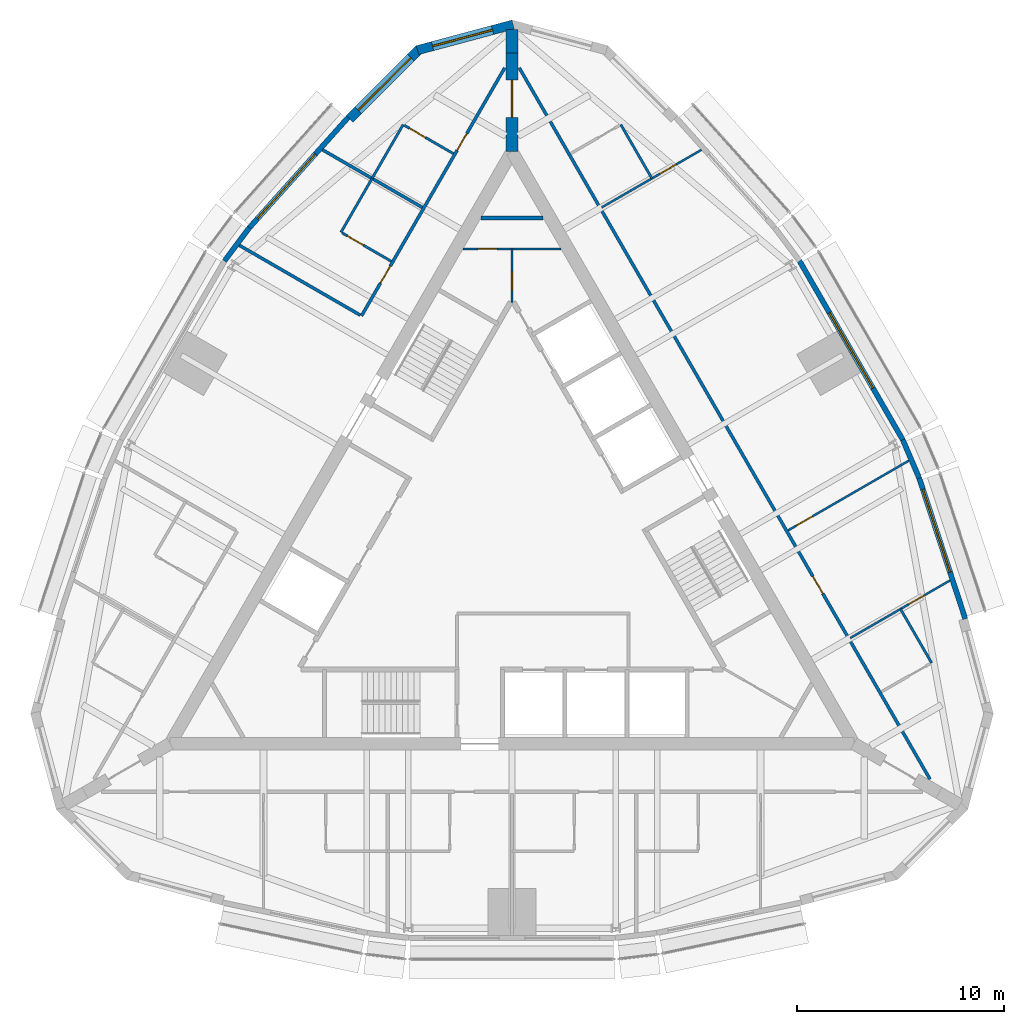
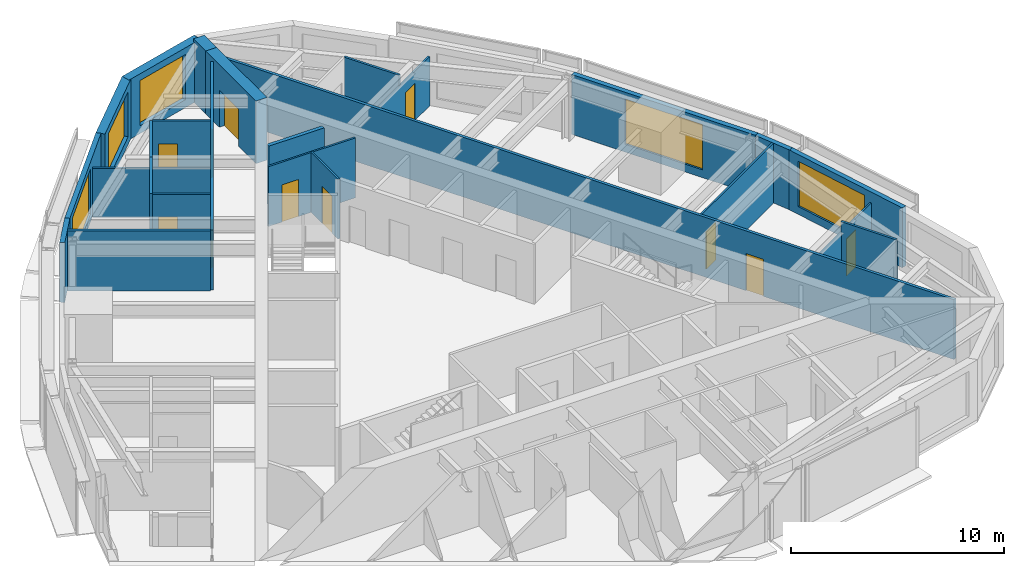
# One storey, part 10 of 12: 25 walls, 11 doors, 5 windows, 16 openings.
"""IFC4 building model written with IfcOpenShell, lengths in metres."""

import ifcopenshell
import ifcopenshell.guid

model = None  # the IFC model being written
_history = None  # IfcOwnerHistory: only IFC2X3 demands one
_inside = {}  # id of a spatial element -> (the spatial element, [elements in it])
_under = {}  # id of a project, library or spatial element -> (it, [spatial elements below it])
_declared = {}  # id of a project -> (the project, [libraries it declares])
_typed = {}  # id of a type object -> (the type object, [elements of that type])
_made_of = {}  # id of a material, layer set ... -> (it, [elements and type objects made of it])


def new_model(schema):
    """Start an empty IFC model of exactly this schema.

    Asked for "IFC4X3", IfcOpenShell would pick the latest addendum, in which some entities
    have other attributes; the version numbers below select the first issue.
    IFC2X3 requires an IfcOwnerHistory on every rooted entity: one is made here for all.
    """
    global model, _history
    if schema == "IFC4X3":
        model = ifcopenshell.file(schema_version=(4, 3, 0, 0))
    else:
        model = ifcopenshell.file(schema=schema)
    _inside.clear()
    _under.clear()
    _declared.clear()
    _typed.clear()
    _made_of.clear()
    _history = None
    if model.schema == "IFC2X3":
        org = make("IfcOrganization", Name="unknown")
        user = make(
            "IfcPersonAndOrganization",
            ThePerson=make("IfcPerson", FamilyName="unknown"),
            TheOrganization=org,
        )
        app = make(
            "IfcApplication",
            ApplicationDeveloper=org,
            Version="unknown",
            ApplicationFullName="unknown",
            ApplicationIdentifier="unknown",
        )
        _history = make(
            "IfcOwnerHistory",
            OwningUser=user,
            OwningApplication=app,
            ChangeAction="ADDED",
            CreationDate=0,
        )
    return model


def make(cls, **values):
    """One entity of the class cls with the attributes given. An attribute that is None is left unset."""
    return model.create_entity(
        cls, **{name: value for name, value in values.items() if value is not None}
    )


def rooted(cls, **values):
    """An entity with a GlobalId (a new one), such as an element, a storey or a relation."""
    return make(cls, GlobalId=ifcopenshell.guid.new(), OwnerHistory=_history, **values)


def si_unit(unit_type, name, prefix=None):
    """IfcSIUnit, for example si_unit("LENGTHUNIT", "METRE", prefix="MILLI")."""
    return make("IfcSIUnit", UnitType=unit_type, Prefix=prefix, Name=name)


def assignment(units):
    """IfcUnitAssignment: the units of a project."""
    return None if units is None else make("IfcUnitAssignment", Units=units)


def point(xyz):
    """IfcCartesianPoint."""
    return None if xyz is None else make("IfcCartesianPoint", Coordinates=xyz)


def direction(xyz):
    """IfcDirection."""
    return None if xyz is None else make("IfcDirection", DirectionRatios=xyz)


def frame(location, z_axis=None, x_axis=None):
    """IfcAxis2Placement3D, a coordinate frame: its origin and axes. An axis left out is left unset."""
    return make(
        "IfcAxis2Placement3D",
        Location=point(location),
        Axis=direction(z_axis),
        RefDirection=direction(x_axis),
    )


def frame_2d(location, x_axis=None):
    """IfcAxis2Placement2D, a coordinate frame in the plane: its origin and x axis."""
    return make(
        "IfcAxis2Placement2D", Location=point(location), RefDirection=direction(x_axis)
    )


def origin():
    """The frame at (0, 0, 0) with its axes left unset."""
    return frame((0.0, 0.0, 0.0))


def place(relative_to, where):
    """IfcLocalPlacement: puts the frame where relative to a parent placement (None: the world)."""
    return make(
        "IfcLocalPlacement", PlacementRelTo=relative_to, RelativePlacement=where
    )


def context(
    kind, dimensions, precision=None, world=None, true_north=None, identifier=None
):
    """IfcGeometricRepresentationContext, for example the 3D "Model" context."""
    return make(
        "IfcGeometricRepresentationContext",
        ContextIdentifier=identifier,
        ContextType=kind,
        CoordinateSpaceDimension=dimensions,
        Precision=precision,
        WorldCoordinateSystem=world,
        TrueNorth=true_north,
    )


def subcontext(parent, identifier, kind, view, scale=None):
    """IfcGeometricRepresentationSubContext, for example "Body" below "Model"."""
    return make(
        "IfcGeometricRepresentationSubContext",
        ContextIdentifier=identifier,
        ContextType=kind,
        ParentContext=parent,
        TargetScale=scale,
        TargetView=view,
    )


def project(units=None, contexts=None):
    """IfcProject with its units and contexts."""
    return rooted(
        "IfcProject",
        Name="project",
        RepresentationContexts=contexts,
        UnitsInContext=assignment(units),
    )


def spatial(cls, under=None, at=None, **own):
    """A site, building, storey or space (cls), placed at a placement, below another one or the project."""
    s = rooted(cls, ObjectPlacement=at, **own)
    if under is not None:
        _under.setdefault(under.id(), (under, []))[1].append(s)
    return s


def polyline(points):
    """IfcPolyline through the points."""
    return make("IfcPolyline", Points=[point(p) for p in points])


def profile(cls, at=None, kind="AREA", **sizes):
    """A parametric profile (cls). Its sizes go by their IFC names, for example OverallWidth=200.0."""
    return make(cls, ProfileType=kind, Position=at, **sizes)


def rectangle(**sizes):
    """IfcRectangleProfileDef."""
    return profile("IfcRectangleProfileDef", **sizes)


def outline(outer, holes=None, kind="AREA"):
    """IfcArbitraryClosedProfileDef: a profile drawn as a closed curve; with holes, ...WithVoids."""
    if holes is None:
        return make("IfcArbitraryClosedProfileDef", ProfileType=kind, OuterCurve=outer)
    return make(
        "IfcArbitraryProfileDefWithVoids",
        ProfileType=kind,
        OuterCurve=outer,
        InnerCurves=holes,
    )


def extrude(swept, where, along, depth):
    """IfcExtrudedAreaSolid: the profile swept, set in the frame where, extruded along a direction by depth."""
    return make(
        "IfcExtrudedAreaSolid",
        SweptArea=swept,
        Position=where,
        ExtrudedDirection=direction(along),
        Depth=depth,
    )


def shape(context_of_items, identifier, shape_type, items):
    """IfcShapeRepresentation: the items that make up one representation, for example the "Body"."""
    return make(
        "IfcShapeRepresentation",
        ContextOfItems=context_of_items,
        RepresentationIdentifier=identifier,
        RepresentationType=shape_type,
        Items=items,
    )


def material(Name=None, Category=None):
    """IfcMaterial."""
    return make("IfcMaterial", Name=Name, Category=Category)


def layer(
    of_material, thickness, ventilated=None, Name=None, Category=None, Priority=None
):
    """IfcMaterialLayer: one layer of a wall or slab, of a material (None: an air gap)."""
    return make(
        "IfcMaterialLayer",
        Material=of_material,
        LayerThickness=thickness,
        IsVentilated=ventilated,
        Name=Name,
        Category=Category,
        Priority=Priority,
    )


def layer_set(layers, Name=None):
    """IfcMaterialLayerSet."""
    return make("IfcMaterialLayerSet", MaterialLayers=layers, LayerSetName=Name)


def made_of(thing, what):
    """Note that an element or type object is made of a material, layer set ...; save() writes the relation."""
    if what is not None:
        _made_of.setdefault(what.id(), (what, []))[1].append(thing)
    return thing


def type_object(cls, material=None, **own):
    """A type object (cls), such as IfcWallType, which elements share."""
    return made_of(rooted(cls, **own), material)


def element(
    cls,
    number,
    at=None,
    inside=None,
    cuts=None,
    type_object=None,
    material=None,
    context=None,
    identifier="Body",
    shape_type=None,
    held_by="IfcProductDefinitionShape",
    body=None,
    shapes=None,
    **own,
):
    """One element of the class cls, such as IfcWall. Its Tag is "e" and its number.

    at: its placement. inside: the storey or other place that contains it. cuts: it is an
    opening in that element (IfcRelVoidsElement). A single representation is given by context,
    identifier, shape_type and body (its items); several are given by shapes. held_by: the class
    of the entity that holds the representations. save() writes the other relations.
    """
    e = rooted(cls, Tag="e%d" % number, ObjectPlacement=at, **own)
    if body is not None:
        shapes = [shape(context, identifier, shape_type, body)]
    if shapes is not None:
        e.Representation = make(held_by, Representations=shapes)
    if inside is not None:
        _inside.setdefault(inside.id(), (inside, []))[1].append(e)
    if cuts is not None:
        rooted(
            "IfcRelVoidsElement", RelatingBuildingElement=cuts, RelatedOpeningElement=e
        )
    if type_object is not None:
        _typed.setdefault(type_object.id(), (type_object, []))[1].append(e)
    return made_of(e, material)


def fill(opening, filler):
    """IfcRelFillsElement: the door or window that sits in an opening."""
    return rooted(
        "IfcRelFillsElement",
        RelatingOpeningElement=opening,
        RelatedBuildingElement=filler,
    )


def aggregate(whole, parts):
    """IfcRelAggregates: a whole, such as a stair, and the parts it consists of."""
    return rooted("IfcRelAggregates", RelatingObject=whole, RelatedObjects=parts)


def save(model, path):
    """Write the relations noted so far, then the file.

    IfcRelAggregates (storeys below a building ...), IfcRelContainedInSpatialStructure (elements
    in a storey), IfcRelDefinesByType, IfcRelAssociatesMaterial and IfcRelDeclares: one each for
    every whole, place, type object, material and project.
    """
    for whole, parts in _under.values():
        aggregate(whole, parts)
    for where, things in _inside.values():
        rooted(
            "IfcRelContainedInSpatialStructure",
            RelatedElements=things,
            RelatingStructure=where,
        )
    for kind, things in _typed.values():
        rooted("IfcRelDefinesByType", RelatedObjects=things, RelatingType=kind)
    for what, things in _made_of.values():
        rooted("IfcRelAssociatesMaterial", RelatedObjects=things, RelatingMaterial=what)
    for by, libraries in _declared.values():
        rooted("IfcRelDeclares", RelatingContext=by, RelatedDefinitions=libraries)
    model.write(path)


model = new_model("IFC4")

# Units and contexts
model_context = context("Model", 3, precision=1e-05, world=origin(), true_north=direction((0.0, 1.0)))
body_context = subcontext(model_context, "Body", "Model", "MODEL_VIEW")
ifc_project = project(units=[si_unit("LENGTHUNIT", "METRE"), si_unit("AREAUNIT", "SQUARE_METRE"), si_unit("VOLUMEUNIT", "CUBIC_METRE"), si_unit("PLANEANGLEUNIT", "RADIAN"), si_unit("MASSUNIT", "GRAM", prefix="KILO")], contexts=[model_context])

# Site, building, storey
site_placement = place(None, origin())
site = spatial("IfcSite", under=ifc_project, at=site_placement, CompositionType="ELEMENT")
building_placement = place(site_placement, origin())
building = spatial("IfcBuilding", under=site, at=building_placement, Name="Trikona Tower", CompositionType="ELEMENT")
storey_placement = place(building_placement, frame((0.0, 0.0, 264.5)))
storey = spatial("IfcBuildingStorey", under=building, at=storey_placement, Name="L70", CompositionType="ELEMENT", Elevation=264.5)

# Walls
ifc_material_1 = material(Name="Metal stud and cement board", Category="gypsum")
ifc_layer_1 = layer(ifc_material_1, 0.1201171875)
ifc_layer_set_1 = layer_set([ifc_layer_1], Name="Bathroom wall 120")
wall_type_1 = type_object("IfcWallType", Name="Bathroom wall 120", PredefinedType="PLUMBINGWALL", material=ifc_layer_set_1)
wall_1_placement = place(storey_placement, frame((20.25341796875, -5.627197265625, 0.0), z_axis=(0.0, 0.0, 1.0), x_axis=(-0.50002537861, 0.866010750942, 0.0)))
element("IfcWall", 1, at=wall_1_placement, inside=storey, type_object=wall_type_1, Name="Bathroom wall 7005.1", PredefinedType="PLUMBINGWALL", context=body_context, shape_type="SweptSolid", body=[
    extrude(rectangle(XDim=2.999755859375, YDim=0.1201171875, at=frame_2d((1.5, 0.0))), origin(), (0.0, 0.0, 1.0), 3.43505859375),
])
for number, where, z_axis, x_axis, name in (
    (2, (6.75341796875, 17.75537109375, 0.0), (0.0, 0.0, 1.0), (-0.499990139034, 0.866031096941, 0.0), "Bathroom wall 7005.2"),
    (3, (-5.25341796875, 20.353515625, 0.0), (0.0, 0.0, 1.0), (-0.499990139034, -0.866031096941, 0.0), "Bathroom wall 7006"),
):
    element("IfcWall", number, at=place(storey_placement, frame(where, z_axis=z_axis, x_axis=x_axis)), inside=storey, type_object=wall_type_1, Name=name, PredefinedType="PLUMBINGWALL", context=body_context, shape_type="SweptSolid", body=[
        extrude(rectangle(XDim=3.0, YDim=0.1201171875, at=frame_2d((1.5, 0.0))), origin(), (0.0, 0.0, 1.0), 3.43505859375),
    ])

# Wall, opening, door
wall_2_placement = place(storey_placement, frame((-2.82861328125, 18.95361328125, 0.0), z_axis=(0.0, 0.0, 1.0), x_axis=(-0.866035715982, 0.499982138324, 0.0)))
wall_2 = element("IfcWall", 4, at=wall_2_placement, inside=storey, type_object=wall_type_1, Name="Bathroom wall 7006", PredefinedType="PLUMBINGWALL", context=body_context, shape_type="SweptSolid", body=[
    extrude(rectangle(XDim=2.73974609375, YDim=0.1201171875, at=frame_2d((1.369873046875, 0.0))), origin(), (0.0, 0.0, 1.0), 3.43505859375),
])
opening_1_placement = place(wall_2_placement, frame((1.550048828125, 0.0, 0.0)))
opening_1 = element("IfcOpeningElement", 5, at=opening_1_placement, cuts=wall_2, Name="Opening D2", PredefinedType="OPENING", context=body_context, shape_type="SweptSolid", body=[
    extrude(rectangle(XDim=0.89990234375, YDim=2.1298828125, at=frame_2d((0.449951171875, 1.06494140625))), frame((0.0, 0.070068359375, 0.0), z_axis=(0.0, -1.0, 0.0), x_axis=(1.0, 0.0, 0.0)), (0.0, 0.0, 1.0), 0.14013671875),
])
ifc_material_2 = material(Name="Steel door frame with solid-core timber leaf", Category="steel")
door_type_1 = type_object("IfcDoorType", Name="Bathroom door 900x2130", OperationType="SLIDING_TO_LEFT", PredefinedType="DOOR", material=ifc_material_2)
door_1_placement = place(opening_1_placement, origin())
door_1 = element("IfcDoor", 6, at=door_1_placement, inside=storey, type_object=door_type_1, Name="Bathroom door 7006", OperationType="SLIDING_TO_LEFT", OverallHeight=2.1298828125, OverallWidth=0.89990234375, PredefinedType="DOOR", context=body_context, shape_type="SweptSolid", body=[
    extrude(rectangle(XDim=0.89990234375, YDim=2.1298828125, at=frame_2d((0.449951171875, 1.06494140625))), frame((0.0, 0.02490234375, 0.0), z_axis=(0.0, -1.0, 0.0), x_axis=(1.0, 0.0, 0.0)), (0.0, 0.0, 1.0), 0.050048828125),
])
fill(opening_1, door_1)

# Wall
wall_3_placement = place(storey_placement, frame((-6.75341796875, 17.75537109375, 0.0), z_axis=(0.0, 0.0, 1.0), x_axis=(-0.50002537861, -0.866010750942, 0.0)))
element("IfcWall", 7, at=wall_3_placement, inside=storey, type_object=wall_type_1, Name="Bathroom wall 7007", PredefinedType="PLUMBINGWALL", context=body_context, shape_type="SweptSolid", body=[
    extrude(rectangle(XDim=2.999755859375, YDim=0.1201171875, at=frame_2d((1.5, 0.0))), origin(), (0.0, 0.0, 1.0), 3.43505859375),
])

# Wall, opening, door
wall_4_placement = place(storey_placement, frame((-5.82861328125, 13.75732421875, 0.0), z_axis=(0.0, 0.0, 1.0), x_axis=(-0.865997131366, 0.500048966069, 0.0)))
wall_4 = element("IfcWall", 8, at=wall_4_placement, inside=storey, type_object=wall_type_1, Name="Bathroom wall 7007", PredefinedType="PLUMBINGWALL", context=body_context, shape_type="SweptSolid", body=[
    extrude(rectangle(XDim=2.739990234375, YDim=0.1201171875, at=frame_2d((1.3701171875, 0.0))), origin(), (0.0, 0.0, 1.0), 3.43505859375),
])
opening_2_placement = place(wall_4_placement, frame((1.550048828125, 0.0, 0.0)))
opening_2 = element("IfcOpeningElement", 9, at=opening_2_placement, cuts=wall_4, Name="Opening D2", PredefinedType="OPENING", context=body_context, shape_type="SweptSolid", body=[
    extrude(rectangle(XDim=0.89990234375, YDim=2.1298828125, at=frame_2d((0.449951171875, 1.06494140625))), frame((0.0, 0.070068359375, 0.0), z_axis=(0.0, -1.0, 0.0), x_axis=(1.0, 0.0, 0.0)), (0.0, 0.0, 1.0), 0.14013671875),
])
door_2_placement = place(opening_2_placement, origin())
door_2 = element("IfcDoor", 10, at=door_2_placement, inside=storey, type_object=door_type_1, Name="Bathroom door 7007", OperationType="SLIDING_TO_LEFT", OverallHeight=2.1298828125, OverallWidth=0.89990234375, PredefinedType="DOOR", context=body_context, shape_type="SweptSolid", body=[
    extrude(rectangle(XDim=0.89990234375, YDim=2.1298828125, at=frame_2d((0.449951171875, 1.06494140625))), frame((0.0, 0.02490234375, 0.0), z_axis=(0.0, -1.0, 0.0), x_axis=(1.0, 0.0, 0.0)), (0.0, 0.0, 1.0), 0.050048828125),
])
fill(opening_2, door_2)

# Wall, opening, window
ifc_material_3 = material(Name="Brick-faced precast concrete", Category="masonry")
ifc_layer_2 = layer(ifc_material_3, 0.449951171875)
ifc_layer_set_2 = layer_set([ifc_layer_2], Name="Brick-faced corner wall 450")
wall_type_2 = type_object("IfcWallType", Name="Brick-faced corner wall 450", PredefinedType="SOLIDWALL", material=ifc_layer_set_2)
wall_5_placement = place(storey_placement, frame((0.05810546875, 25.18603515625, 0.0), z_axis=(0.0, 0.0, 1.0), x_axis=(-0.965926628191, -0.258816052347, 0.0)))
wall_5 = element("IfcWall", 11, at=wall_5_placement, inside=storey, type_object=wall_type_2, Name="External wall L70-16", PredefinedType="SOLIDWALL", context=body_context, shape_type="SweptSolid", body=[
    extrude(outline(polyline([(4.781494140625, 0.22509765625), (0.430908203125, 0.22509765625), (0.406005859375, 0.132080078125), (0.059326171875, 0.22509765625), (0.0, 0.22509765625), (0.0, -0.22509765625), (4.781494140625, -0.22509765625), (4.781494140625, 0.22509765625)])), origin(), (0.0, 0.0, 1.0), 3.43505859375),
])
opening_3_placement = place(wall_5_placement, frame((1.031494140625, 0.0, 0.449951171875)))
opening_3 = element("IfcOpeningElement", 12, at=opening_3_placement, cuts=wall_5, Name="Opening W3026", PredefinedType="OPENING", context=body_context, shape_type="SweptSolid", body=[
    extrude(rectangle(XDim=3.0, YDim=2.60009765625, at=frame_2d((1.5, 1.300048828125))), frame((0.0, 0.23486328125, 0.0), z_axis=(0.0, -1.0, 0.0), x_axis=(1.0, 0.0, 0.0)), (0.0, 0.0, 1.0), 0.469970703125),
])
ifc_material_4 = material(Name="Aluminium-framed double glazing", Category="aluminium")
window_type_1 = type_object("IfcWindowType", Name="Window 3000x2600", PartitioningType="SINGLE_PANEL", PredefinedType="WINDOW", material=ifc_material_4)
window_1_placement = place(opening_3_placement, origin())
window_1 = element("IfcWindow", 13, at=window_1_placement, inside=storey, type_object=window_type_1, Name="Window 7006", OverallHeight=2.60009765625, OverallWidth=3.0, PartitioningType="SINGLE_PANEL", PredefinedType="WINDOW", context=body_context, shape_type="SweptSolid", body=[
    extrude(rectangle(XDim=3.0, YDim=2.60009765625, at=frame_2d((1.5, 1.300048828125))), frame((0.0, 0.030029296875, 0.0), z_axis=(0.0, -1.0, 0.0), x_axis=(1.0, 0.0, 0.0)), (0.0, 0.0, 1.0), 0.06005859375),
])
fill(opening_3, window_1)

wall_6_placement = place(storey_placement, frame((-4.459716796875, 24.006591796875, 0.0), z_axis=(0.0, 0.0, 1.0), x_axis=(-0.707106781187, -0.707106781187, 0.0)))
wall_6 = element("IfcWall", 14, at=wall_6_placement, inside=storey, type_object=wall_type_2, Name="External wall L70-17", PredefinedType="SOLIDWALL", context=body_context, shape_type="SweptSolid", body=[
    extrude(rectangle(XDim=4.781494140625, YDim=0.449951171875, at=frame_2d((2.390625, 0.0))), origin(), (0.0, 0.0, 1.0), 3.43505859375),
])
opening_4_placement = place(wall_6_placement, frame((0.5908203125, 0.0, 0.449951171875)))
opening_4 = element("IfcOpeningElement", 15, at=opening_4_placement, cuts=wall_6, Name="Opening W3626", PredefinedType="OPENING", context=body_context, shape_type="SweptSolid", body=[
    extrude(rectangle(XDim=3.60009765625, YDim=2.60009765625, at=frame_2d((1.800048828125, 1.300048828125))), frame((0.0, 0.23486328125, 0.0), z_axis=(0.0, -1.0, 0.0), x_axis=(1.0, 0.0, 0.0)), (0.0, 0.0, 1.0), 0.469970703125),
])
ifc_material_5 = material(Name="Aluminium-framed double glazing", Category="aluminium")
window_type_2 = type_object("IfcWindowType", Name="Window 3600x2600", PartitioningType="SINGLE_PANEL", PredefinedType="WINDOW", material=ifc_material_5)
window_2_placement = place(opening_4_placement, origin())
window_2 = element("IfcWindow", 16, at=window_2_placement, inside=storey, type_object=window_type_2, Name="Window 7006", OverallHeight=2.60009765625, OverallWidth=3.60009765625, PartitioningType="SINGLE_PANEL", PredefinedType="WINDOW", context=body_context, shape_type="SweptSolid", body=[
    extrude(rectangle(XDim=3.60009765625, YDim=2.60009765625, at=frame_2d((1.800048828125, 1.300048828125))), frame((0.0, 0.030029296875, 0.0), z_axis=(0.0, -1.0, 0.0), x_axis=(1.0, 0.0, 0.0)), (0.0, 0.0, 1.0), 0.06005859375),
])
fill(opening_4, window_2)

# Wall, opening, door
ifc_material_6 = material(Name="Concrete f'c 10000 psi", Category="concrete")
ifc_layer_3 = layer(ifc_material_6, 0.60009765625)
ifc_layer_set_3 = layer_set([ifc_layer_3], Name="Buttress wall 600")
wall_type_3 = type_object("IfcWallType", Name="Buttress wall 600", PredefinedType="SHEAR", material=ifc_layer_set_3)
wall_7_placement = place(storey_placement, frame((0.0, 19.052490234375, 0.0), z_axis=(0.0, 0.0, 1.0), x_axis=(0.0, 1.0, 0.0)))
wall_7 = element("IfcWall", 17, at=wall_7_placement, inside=storey, type_object=wall_type_3, Name="Buttress wall 2", PredefinedType="SHEAR", context=body_context, shape_type="SweptSolid", body=[
    extrude(rectangle(XDim=4.74609375, YDim=0.60009765625, at=frame_2d((2.373046875, 0.0))), origin(), (0.0, 0.0, 1.0), 3.60009765625),
])
opening_5_placement = place(wall_7_placement, frame((1.64990234375, 0.0, 0.0)))
opening_5 = element("IfcOpeningElement", 18, at=opening_5_placement, cuts=wall_7, Name="Opening D10", PredefinedType="OPENING", context=body_context, shape_type="SweptSolid", body=[
    extrude(rectangle(XDim=1.800048828125, YDim=2.1298828125, at=frame_2d((0.89990234375, 1.06494140625))), frame((0.0, 0.31005859375, 0.0), z_axis=(0.0, -1.0, 0.0), x_axis=(1.0, 0.0, 0.0)), (0.0, 0.0, 1.0), 0.6201171875),
])
ifc_material_7 = material(Name="Hollow metal door and frame", Category="steel")
door_type_2 = type_object("IfcDoorType", Name="Cross-corridor door pair 1800x2130", OperationType="DOUBLE_DOOR_DOUBLE_SWING", PredefinedType="DOOR", material=ifc_material_7)
door_3_placement = place(opening_5_placement, origin())
door_3 = element("IfcDoor", 19, at=door_3_placement, inside=storey, type_object=door_type_2, Name="Cross-corridor door 2", OperationType="DOUBLE_DOOR_DOUBLE_SWING", OverallHeight=2.1298828125, OverallWidth=1.800048828125, PredefinedType="DOOR", context=body_context, shape_type="SweptSolid", body=[
    extrude(rectangle(XDim=1.800048828125, YDim=2.1298828125, at=frame_2d((0.89990234375, 1.06494140625))), frame((0.0, 0.02490234375, 0.0), z_axis=(0.0, -1.0, 0.0), x_axis=(1.0, 0.0, 0.0)), (0.0, 0.0, 1.0), 0.050048828125),
])
fill(opening_5, door_3)

# Wall
wall_8_placement = place(storey_placement, frame((0.0, 23.798583984375, 0.0), z_axis=(0.0, 0.0, 1.0), x_axis=(0.0, 1.0, 0.0)))
element("IfcWall", 20, at=wall_8_placement, inside=storey, type_object=wall_type_3, Name="Buttress wall 2 part 2", PredefinedType="SHEAR", context=body_context, shape_type="SweptSolid", body=[
    extrude(rectangle(XDim=1.15478515625, YDim=0.60009765625, at=frame_2d((0.577392578125, 0.0))), origin(), (0.0, 0.0, 1.0), 3.60009765625),
])

# Wall, opening, door
ifc_material_8 = material(Name="Metal stud and gypsum board, 1-hour", Category="gypsum")
ifc_layer_4 = layer(ifc_material_8, 0.14990234375)
ifc_layer_set_4 = layer_set([ifc_layer_4], Name="Corridor wall 150")
wall_type_4 = type_object("IfcWallType", Name="Corridor wall 150", PredefinedType="PARTITIONING", material=ifc_layer_set_4)
wall_9_placement = place(storey_placement, frame((20.177001953125, -11.2451171875, 0.0), z_axis=(0.0, 0.0, 1.0), x_axis=(-0.499998875317, 0.866026053119, 0.0)))
wall_9 = element("IfcWall", 21, at=wall_9_placement, inside=storey, type_object=wall_type_4, Name="Corridor wall L70-2", PredefinedType="PARTITIONING", context=body_context, shape_type="SweptSolid", body=[
    extrude(rectangle(XDim=39.65380859375, YDim=0.14990234375, at=frame_2d((19.826904296875, 0.0))), origin(), (0.0, 0.0, 1.0), 3.43505859375),
])
opening_6_placement = place(wall_9_placement, frame((10.35205078125, 0.0, 0.0)))
opening_6 = element("IfcOpeningElement", 22, at=opening_6_placement, cuts=wall_9, Name="Opening D1", PredefinedType="OPENING", context=body_context, shape_type="SweptSolid", body=[
    extrude(rectangle(XDim=0.949951171875, YDim=2.1298828125, at=frame_2d((0.47509765625, 1.06494140625))), frame((0.0, 0.0849609375, 0.0), z_axis=(0.0, -1.0, 0.0), x_axis=(1.0, 0.0, 0.0)), (0.0, 0.0, 1.0), 0.169921875),
])
ifc_material_9 = material(Name="Steel door frame with solid-core timber leaf", Category="steel")
door_type_3 = type_object("IfcDoorType", Name="Guest room door 950x2130", OperationType="SINGLE_SWING_LEFT", PredefinedType="DOOR", material=ifc_material_9)
door_4_placement = place(opening_6_placement, origin())
door_4 = element("IfcDoor", 23, at=door_4_placement, inside=storey, type_object=door_type_3, Name="Room door 7005", OperationType="SINGLE_SWING_LEFT", OverallHeight=2.1298828125, OverallWidth=0.949951171875, PredefinedType="DOOR", context=body_context, shape_type="SweptSolid", body=[
    extrude(rectangle(XDim=0.949951171875, YDim=2.1298828125, at=frame_2d((0.47509765625, 1.06494140625))), frame((0.0, 0.02490234375, 0.0), z_axis=(0.0, -1.0, 0.0), x_axis=(1.0, 0.0, 0.0)), (0.0, 0.0, 1.0), 0.050048828125),
])
fill(opening_6, door_4)

# Wall, openings, doors
wall_10_placement = place(storey_placement, frame((-0.35009765625, 23.09619140625, 0.0), z_axis=(0.0, 0.0, 1.0), x_axis=(-0.499996044987, -0.8660276872, 0.0)))
wall_10 = element("IfcWall", 24, at=wall_10_placement, inside=storey, type_object=wall_type_4, Name="Corridor wall L70-3A", PredefinedType="PARTITIONING", context=body_context, shape_type="SweptSolid", body=[
    extrude(rectangle(XDim=13.82666015625, YDim=0.14990234375, at=frame_2d((6.913330078125, 0.0))), origin(), (0.0, 0.0, 1.0), 3.43505859375),
])
opening_7_placement = place(wall_10_placement, frame((3.652099609375, 0.0, 0.0)))
opening_7 = element("IfcOpeningElement", 25, at=opening_7_placement, cuts=wall_10, Name="Opening D1", PredefinedType="OPENING", context=body_context, shape_type="SweptSolid", body=[
    extrude(rectangle(XDim=0.949951171875, YDim=2.1298828125, at=frame_2d((0.47509765625, 1.06494140625))), frame((0.0, 0.0849609375, 0.0), z_axis=(0.0, -1.0, 0.0), x_axis=(1.0, 0.0, 0.0)), (0.0, 0.0, 1.0), 0.169921875),
])
opening_8_placement = place(wall_10_placement, frame((11.052001953125, 0.0, 0.0)))
opening_8 = element("IfcOpeningElement", 26, at=opening_8_placement, cuts=wall_10, Name="Opening D1", PredefinedType="OPENING", context=body_context, shape_type="SweptSolid", body=[
    extrude(rectangle(XDim=0.949951171875, YDim=2.1298828125, at=frame_2d((0.47509765625, 1.06494140625))), frame((0.0, 0.0849609375, 0.0), z_axis=(0.0, -1.0, 0.0), x_axis=(1.0, 0.0, 0.0)), (0.0, 0.0, 1.0), 0.169921875),
])
door_5_placement = place(opening_7_placement, origin())
door_5 = element("IfcDoor", 27, at=door_5_placement, inside=storey, type_object=door_type_3, Name="Room door 7006", OperationType="SINGLE_SWING_LEFT", OverallHeight=2.1298828125, OverallWidth=0.949951171875, PredefinedType="DOOR", context=body_context, shape_type="SweptSolid", body=[
    extrude(rectangle(XDim=0.949951171875, YDim=2.1298828125, at=frame_2d((0.47509765625, 1.06494140625))), frame((0.0, 0.02490234375, 0.0), z_axis=(0.0, -1.0, 0.0), x_axis=(1.0, 0.0, 0.0)), (0.0, 0.0, 1.0), 0.050048828125),
])
fill(opening_7, door_5)
door_6_placement = place(opening_8_placement, origin())
door_6 = element("IfcDoor", 28, at=door_6_placement, inside=storey, type_object=door_type_3, Name="Room door 7007", OperationType="SINGLE_SWING_RIGHT", OverallHeight=2.1298828125, OverallWidth=0.949951171875, PredefinedType="DOOR", context=body_context, shape_type="SweptSolid", body=[
    extrude(rectangle(XDim=0.949951171875, YDim=2.1298828125, at=frame_2d((0.47509765625, 1.06494140625))), frame((0.0, 0.02490234375, 0.0), z_axis=(0.0, -1.0, 0.0), x_axis=(1.0, 0.0, 0.0)), (0.0, 0.0, 1.0), 0.050048828125),
])
fill(opening_8, door_6)

# Wall, opening, window
ifc_material_10 = material(Name="Insulated precast concrete spandrel panel", Category="concrete")
ifc_layer_5 = layer(ifc_material_10, 0.25)
ifc_layer_set_5 = layer_set([ifc_layer_5], Name="Inner skin wall 250")
wall_type_5 = type_object("IfcWallType", Name="Inner skin wall 250", PredefinedType="STANDARD", material=ifc_layer_set_5)
wall_11_placement = place(storey_placement, frame((21.881103515625, -3.5029296875, 0.0), z_axis=(0.0, 0.0, 1.0), x_axis=(-0.311328857048, 0.95030223759, 0.0)))
wall_11 = element("IfcWall", 29, at=wall_11_placement, inside=storey, type_object=wall_type_5, Name="External wall L70-09", PredefinedType="STANDARD", context=body_context, shape_type="SweptSolid", body=[
    extrude(rectangle(XDim=7.152587890625, YDim=0.25, at=frame_2d((3.576171875, 0.0))), origin(), (0.0, 0.0, 1.0), 3.43505859375),
])
opening_9_placement = place(wall_11_placement, frame((2.3759765625, 0.0, 0.449951171875)))
opening_9 = element("IfcOpeningElement", 30, at=opening_9_placement, cuts=wall_11, Name="Opening W4226", PredefinedType="OPENING", context=body_context, shape_type="SweptSolid", body=[
    extrude(rectangle(XDim=4.199951171875, YDim=2.60009765625, at=frame_2d((2.10009765625, 1.300048828125))), frame((0.0, 0.135009765625, 0.0), z_axis=(0.0, -1.0, 0.0), x_axis=(1.0, 0.0, 0.0)), (0.0, 0.0, 1.0), 0.27001953125),
])
ifc_material_11 = material(Name="Aluminium-framed double glazing", Category="aluminium")
window_type_3 = type_object("IfcWindowType", Name="Window 4200x2600", PartitioningType="SINGLE_PANEL", PredefinedType="WINDOW", material=ifc_material_11)
window_3_placement = place(opening_9_placement, origin())
window_3 = element("IfcWindow", 31, at=window_3_placement, inside=storey, type_object=window_type_3, Name="Window 7005", OverallHeight=2.60009765625, OverallWidth=4.199951171875, PartitioningType="SINGLE_PANEL", PredefinedType="WINDOW", context=body_context, shape_type="SweptSolid", body=[
    extrude(rectangle(XDim=4.199951171875, YDim=2.60009765625, at=frame_2d((2.10009765625, 1.300048828125))), frame((0.0, 0.030029296875, 0.0), z_axis=(0.0, -1.0, 0.0), x_axis=(1.0, 0.0, 0.0)), (0.0, 0.0, 1.0), 0.06005859375),
])
fill(opening_9, window_3)

# Wall
wall_12_placement = place(storey_placement, frame((19.658203125, 3.283935546875, 0.0), z_axis=(0.0, 0.0, 1.0), x_axis=(-0.393290226175, 0.91941437774, 0.0)))
element("IfcWall", 32, at=wall_12_placement, inside=storey, type_object=wall_type_5, Name="External wall L70-10", PredefinedType="STANDARD", context=body_context, shape_type="SweptSolid", body=[
    extrude(rectangle(XDim=2.014404296875, YDim=0.25, at=frame_2d((1.00732421875, 0.0))), origin(), (0.0, 0.0, 1.0), 3.43505859375),
])

# Wall, opening, window
wall_13_placement = place(storey_placement, frame((18.87255859375, 5.12255859375, 0.0), z_axis=(0.0, 0.0, 1.0), x_axis=(-0.499993662806, 0.866029062534, 0.0)))
wall_13 = element("IfcWall", 33, at=wall_13_placement, inside=storey, type_object=wall_type_5, Name="External wall L70-11", PredefinedType="STANDARD", context=body_context, shape_type="SweptSolid", body=[
    extrude(rectangle(XDim=10.000244140625, YDim=0.25, at=frame_2d((5.0, 0.0))), origin(), (0.0, 0.0, 1.0), 3.43505859375),
])
opening_10_placement = place(wall_13_placement, frame((2.89990234375, 0.0, 0.449951171875)))
opening_10 = element("IfcOpeningElement", 34, at=opening_10_placement, cuts=wall_13, Name="Opening W4226", PredefinedType="OPENING", context=body_context, shape_type="SweptSolid", body=[
    extrude(rectangle(XDim=4.199951171875, YDim=2.60009765625, at=frame_2d((2.10009765625, 1.300048828125))), frame((0.0, 0.135009765625, 0.0), z_axis=(0.0, -1.0, 0.0), x_axis=(1.0, 0.0, 0.0)), (0.0, 0.0, 1.0), 0.27001953125),
])
window_4_placement = place(opening_10_placement, origin())
window_4 = element("IfcWindow", 35, at=window_4_placement, inside=storey, type_object=window_type_3, Name="Window 7005.3", OverallHeight=2.60009765625, OverallWidth=4.199951171875, PartitioningType="SINGLE_PANEL", PredefinedType="WINDOW", context=body_context, shape_type="SweptSolid", body=[
    extrude(rectangle(XDim=4.199951171875, YDim=2.60009765625, at=frame_2d((2.10009765625, 1.300048828125))), frame((0.0, 0.030029296875, 0.0), z_axis=(0.0, -1.0, 0.0), x_axis=(1.0, 0.0, 0.0)), (0.0, 0.0, 1.0), 0.06005859375),
])
fill(opening_10, window_4)

wall_14_placement = place(storey_placement, frame((-7.906982421875, 20.701171875, 0.0), z_axis=(0.0, 0.0, 1.0), x_axis=(-0.667303550892, -0.744785855778, 0.0)))
wall_14 = element("IfcWall", 36, at=wall_14_placement, inside=storey, type_object=wall_type_5, Name="External wall L70-18", PredefinedType="STANDARD", context=body_context, shape_type="SweptSolid", body=[
    extrude(rectangle(XDim=7.152587890625, YDim=0.25, at=frame_2d((3.576171875, 0.0))), origin(), (0.0, 0.0, 1.0), 3.43505859375),
])
opening_11_placement = place(wall_14_placement, frame((2.3759765625, 0.0, 0.449951171875)))
opening_11 = element("IfcOpeningElement", 37, at=opening_11_placement, cuts=wall_14, Name="Opening W4226", PredefinedType="OPENING", context=body_context, shape_type="SweptSolid", body=[
    extrude(rectangle(XDim=4.199951171875, YDim=2.60009765625, at=frame_2d((2.10009765625, 1.300048828125))), frame((0.0, 0.135009765625, 0.0), z_axis=(0.0, -1.0, 0.0), x_axis=(1.0, 0.0, 0.0)), (0.0, 0.0, 1.0), 0.27001953125),
])
window_5_placement = place(opening_11_placement, origin())
window_5 = element("IfcWindow", 38, at=window_5_placement, inside=storey, type_object=window_type_3, Name="Window 7007", OverallHeight=2.60009765625, OverallWidth=4.199951171875, PartitioningType="SINGLE_PANEL", PredefinedType="WINDOW", context=body_context, shape_type="SweptSolid", body=[
    extrude(rectangle(XDim=4.199951171875, YDim=2.60009765625, at=frame_2d((2.10009765625, 1.300048828125))), frame((0.0, 0.030029296875, 0.0), z_axis=(0.0, -1.0, 0.0), x_axis=(1.0, 0.0, 0.0)), (0.0, 0.0, 1.0), 0.06005859375),
])
fill(opening_11, window_5)

# Walls
wall_15_placement = place(storey_placement, frame((-12.673095703125, 15.38232421875, 0.0), z_axis=(0.0, 0.0, 1.0), x_axis=(-0.599650843534, -0.800261748335, 0.0)))
element("IfcWall", 39, at=wall_15_placement, inside=storey, type_object=wall_type_5, Name="External wall L70-19", PredefinedType="STANDARD", context=body_context, shape_type="SweptSolid", body=[
    extrude(rectangle(XDim=2.01416015625, YDim=0.25, at=frame_2d((1.007080078125, 0.0))), origin(), (0.0, 0.0, 1.0), 3.43505859375),
])
ifc_material_12 = material(Name="Metal stud and gypsum board, 1-hour acoustic", Category="gypsum")
ifc_layer_6 = layer(ifc_material_12, 0.14990234375)
ifc_layer_set_6 = layer_set([ifc_layer_6], Name="Party wall 150")
wall_type_6 = type_object("IfcWallType", Name="Party wall 150", PredefinedType="PARTITIONING", material=ifc_layer_set_6)
wall_16_placement = place(storey_placement, frame((-4.32861328125, 16.35546875, 0.0), z_axis=(0.0, 0.0, 1.0), x_axis=(-0.866029066823, 0.499993655377, 0.0)))
element("IfcWall", 40, at=wall_16_placement, inside=storey, type_object=wall_type_6, Name="Partition L70 F3 u-12", PredefinedType="PARTITIONING", context=body_context, shape_type="SweptSolid", body=[
    extrude(rectangle(XDim=5.55859375, YDim=0.14990234375, at=frame_2d((2.779296875, 0.0))), origin(), (0.0, 0.0, 1.0), 2.82275390625),
])
wall_17_placement = place(storey_placement, frame((-7.32861328125, 11.1591796875, 0.0), z_axis=(0.0, 0.0, 1.0), x_axis=(-0.866020720842, 0.500008111007, 0.0)))
element("IfcWall", 41, at=wall_17_placement, inside=storey, type_object=wall_type_6, Name="Partition L70 F3 u-6", PredefinedType="PARTITIONING", context=body_context, shape_type="SweptSolid", body=[
    extrude(rectangle(XDim=6.732421875, YDim=0.14990234375, at=frame_2d((3.3662109375, 0.0))), origin(), (0.0, 0.0, 1.0), 3.43505859375),
])
ifc_material_13 = material(Name="Concrete f'c 8000 psi", Category="concrete")
ifc_layer_7 = layer(ifc_material_13, 0.199951171875)
ifc_layer_set_7 = layer_set([ifc_layer_7], Name="Shaft wall 200")
wall_type_7 = type_object("IfcWallType", Name="Shaft wall 200", PredefinedType="SOLIDWALL", material=ifc_layer_set_7)
wall_18_placement = place(storey_placement, frame((-1.501220703125, 15.8525390625, 0.0), z_axis=(0.0, 0.0, 1.0), x_axis=(1.0, 0.0, 0.0)))
element("IfcWall", 42, at=wall_18_placement, inside=storey, type_object=wall_type_7, Name="Riser wall L70-RS2", PredefinedType="SOLIDWALL", context=body_context, shape_type="SweptSolid", body=[
    extrude(rectangle(XDim=3.00244140625, YDim=0.199951171875, at=frame_2d((1.501220703125, 0.0))), origin(), (0.0, 0.0, 1.0), 3.43505859375),
])

# Wall, opening, door
ifc_material_14 = material(Name="Metal stud and gypsum board, acoustic", Category="gypsum")
ifc_layer_8 = layer(ifc_material_14, 0.10009765625)
ifc_layer_set_8 = layer_set([ifc_layer_8], Name="Suite partition 100")
wall_type_8 = type_object("IfcWallType", Name="Suite partition 100", PredefinedType="PARTITIONING", material=ifc_layer_set_8)
wall_19_placement = place(storey_placement, frame((16.32861328125, -4.42919921875, 0.0), z_axis=(0.0, 0.0, 1.0), x_axis=(0.866029066823, 0.499993655377, 0.0)))
wall_19 = element("IfcWall", 43, at=wall_19_placement, inside=storey, type_object=wall_type_8, Name="Suite partition L70 F2 u-12", PredefinedType="PARTITIONING", context=body_context, shape_type="SweptSolid", body=[
    extrude(rectangle(XDim=5.55859375, YDim=0.10009765625, at=frame_2d((2.779296875, 0.0))), origin(), (0.0, 0.0, 1.0), 2.82275390625),
])
opening_12_placement = place(wall_19_placement, frame((3.25, 0.0, 0.0)))
opening_12 = element("IfcOpeningElement", 44, at=opening_12_placement, cuts=wall_19, Name="Opening D13", PredefinedType="OPENING", context=body_context, shape_type="SweptSolid", body=[
    extrude(rectangle(XDim=0.89990234375, YDim=2.1298828125, at=frame_2d((0.449951171875, 1.06494140625))), frame((0.0, 0.06005859375, 0.0), z_axis=(0.0, -1.0, 0.0), x_axis=(1.0, 0.0, 0.0)), (0.0, 0.0, 1.0), 0.1201171875),
])
ifc_material_15 = material(Name="Steel door frame with solid-core timber leaf", Category="steel")
door_type_4 = type_object("IfcDoorType", Name="Suite door 900x2130", OperationType="SINGLE_SWING_LEFT", PredefinedType="DOOR", material=ifc_material_15)
door_7_placement = place(opening_12_placement, origin())
door_7 = element("IfcDoor", 45, at=door_7_placement, inside=storey, type_object=door_type_4, Name="Suite door 7005", OperationType="SINGLE_SWING_RIGHT", OverallHeight=2.1298828125, OverallWidth=0.89990234375, PredefinedType="DOOR", context=body_context, shape_type="SweptSolid", body=[
    extrude(rectangle(XDim=0.89990234375, YDim=2.1298828125, at=frame_2d((0.449951171875, 1.06494140625))), frame((0.0, 0.02490234375, 0.0), z_axis=(0.0, -1.0, 0.0), x_axis=(1.0, 0.0, 0.0)), (0.0, 0.0, 1.0), 0.050048828125),
])
fill(opening_12, door_7)

wall_20_placement = place(storey_placement, frame((13.32861328125, 0.76708984375, 0.0), z_axis=(0.0, 0.0, 1.0), x_axis=(0.866020720842, 0.500008111007, 0.0)))
wall_20 = element("IfcWall", 46, at=wall_20_placement, inside=storey, type_object=wall_type_8, Name="Suite partition L70 F2 u-6", PredefinedType="PARTITIONING", context=body_context, shape_type="SweptSolid", body=[
    extrude(rectangle(XDim=6.732421875, YDim=0.10009765625, at=frame_2d((3.3662109375, 0.0))), origin(), (0.0, 0.0, 1.0), 3.43505859375),
])
opening_13_placement = place(wall_20_placement, frame((0.449951171875, 0.0, 0.0)))
opening_13 = element("IfcOpeningElement", 47, at=opening_13_placement, cuts=wall_20, Name="Opening D13", PredefinedType="OPENING", context=body_context, shape_type="SweptSolid", body=[
    extrude(rectangle(XDim=0.89990234375, YDim=2.1298828125, at=frame_2d((0.449951171875, 1.06494140625))), frame((0.0, 0.06005859375, 0.0), z_axis=(0.0, -1.0, 0.0), x_axis=(1.0, 0.0, 0.0)), (0.0, 0.0, 1.0), 0.1201171875),
])
door_8_placement = place(opening_13_placement, origin())
door_8 = element("IfcDoor", 48, at=door_8_placement, inside=storey, type_object=door_type_4, Name="Suite door 7005", OperationType="SINGLE_SWING_LEFT", OverallHeight=2.1298828125, OverallWidth=0.89990234375, PredefinedType="DOOR", context=body_context, shape_type="SweptSolid", body=[
    extrude(rectangle(XDim=0.89990234375, YDim=2.1298828125, at=frame_2d((0.449951171875, 1.06494140625))), frame((0.0, 0.02490234375, 0.0), z_axis=(0.0, -1.0, 0.0), x_axis=(1.0, 0.0, 0.0)), (0.0, 0.0, 1.0), 0.050048828125),
])
fill(opening_13, door_8)

wall_21_placement = place(storey_placement, frame((4.32861328125, 16.35546875, 0.0), z_axis=(0.0, 0.0, 1.0), x_axis=(0.866029066823, 0.499993655377, 0.0)))
wall_21 = element("IfcWall", 49, at=wall_21_placement, inside=storey, type_object=wall_type_8, Name="Suite partition L70 F2 u12", PredefinedType="PARTITIONING", context=body_context, shape_type="SweptSolid", body=[
    extrude(rectangle(XDim=5.55859375, YDim=0.10009765625, at=frame_2d((2.779296875, 0.0))), origin(), (0.0, 0.0, 1.0), 2.82275390625),
])
opening_14_placement = place(wall_21_placement, frame((3.25, 0.0, 0.0)))
opening_14 = element("IfcOpeningElement", 50, at=opening_14_placement, cuts=wall_21, Name="Opening D13", PredefinedType="OPENING", context=body_context, shape_type="SweptSolid", body=[
    extrude(rectangle(XDim=0.89990234375, YDim=2.1298828125, at=frame_2d((0.449951171875, 1.06494140625))), frame((0.0, 0.06005859375, 0.0), z_axis=(0.0, -1.0, 0.0), x_axis=(1.0, 0.0, 0.0)), (0.0, 0.0, 1.0), 0.1201171875),
])
door_9_placement = place(opening_14_placement, origin())
door_9 = element("IfcDoor", 51, at=door_9_placement, inside=storey, type_object=door_type_4, Name="Suite door 7005", OperationType="SINGLE_SWING_LEFT", OverallHeight=2.1298828125, OverallWidth=0.89990234375, PredefinedType="DOOR", context=body_context, shape_type="SweptSolid", body=[
    extrude(rectangle(XDim=0.89990234375, YDim=2.1298828125, at=frame_2d((0.449951171875, 1.06494140625))), frame((0.0, 0.02490234375, 0.0), z_axis=(0.0, -1.0, 0.0), x_axis=(1.0, 0.0, 0.0)), (0.0, 0.0, 1.0), 0.050048828125),
])
fill(opening_14, door_9)

wall_22_placement = place(storey_placement, frame((-2.3671875, 14.3525390625, 0.0), z_axis=(0.0, 0.0, 1.0), x_axis=(1.0, 0.0, 0.0)))
wall_22 = element("IfcWall", 52, at=wall_22_placement, inside=storey, type_object=wall_type_8, Name="Store partition L70-RS2", PredefinedType="PARTITIONING", context=body_context, shape_type="SweptSolid", body=[
    extrude(rectangle(XDim=4.734375, YDim=0.10009765625, at=frame_2d((2.3671875, 0.0))), origin(), (0.0, 0.0, 1.0), 3.43505859375),
])
opening_15_placement = place(wall_22_placement, frame((0.733642578125, 0.0, 0.0)))
opening_15 = element("IfcOpeningElement", 53, at=opening_15_placement, cuts=wall_22, Name="Opening D15", PredefinedType="OPENING", context=body_context, shape_type="SweptSolid", body=[
    extrude(rectangle(XDim=0.89990234375, YDim=2.1298828125, at=frame_2d((0.449951171875, 1.06494140625))), frame((0.0, 0.06005859375, 0.0), z_axis=(0.0, -1.0, 0.0), x_axis=(1.0, 0.0, 0.0)), (0.0, 0.0, 1.0), 0.1201171875),
])
ifc_material_16 = material(Name="Steel door frame with solid-core timber leaf", Category="steel")
door_type_5 = type_object("IfcDoorType", Name="Store door 900x2130", OperationType="SINGLE_SWING_LEFT", PredefinedType="DOOR", material=ifc_material_16)
door_10_placement = place(opening_15_placement, origin())
door_10 = element("IfcDoor", 54, at=door_10_placement, inside=storey, type_object=door_type_5, Name="Door Storage STO", OperationType="SINGLE_SWING_LEFT", OverallHeight=2.1298828125, OverallWidth=0.89990234375, PredefinedType="DOOR", context=body_context, shape_type="SweptSolid", body=[
    extrude(rectangle(XDim=0.89990234375, YDim=2.1298828125, at=frame_2d((0.449951171875, 1.06494140625))), frame((0.0, 0.02490234375, 0.0), z_axis=(0.0, -1.0, 0.0), x_axis=(1.0, 0.0, 0.0)), (0.0, 0.0, 1.0), 0.050048828125),
])
fill(opening_15, door_10)

wall_23_placement = place(storey_placement, frame((0.0, 14.3525390625, 0.0), z_axis=(0.0, 0.0, 1.0), x_axis=(0.0, -1.0, 0.0)))
wall_23 = element("IfcWall", 55, at=wall_23_placement, inside=storey, type_object=wall_type_8, Name="Store partition L70-RS2", PredefinedType="PARTITIONING", context=body_context, shape_type="SweptSolid", body=[
    extrude(rectangle(XDim=2.5751953125, YDim=0.10009765625, at=frame_2d((1.28759765625, 0.0))), origin(), (0.0, 0.0, 1.0), 3.43505859375),
])
opening_16_placement = place(wall_23_placement, frame((1.09521484375, 0.0, 0.0)))
opening_16 = element("IfcOpeningElement", 56, at=opening_16_placement, cuts=wall_23, Name="Opening D15", PredefinedType="OPENING", context=body_context, shape_type="SweptSolid", body=[
    extrude(rectangle(XDim=0.89990234375, YDim=2.1298828125, at=frame_2d((0.449951171875, 1.06494140625))), frame((0.0, 0.06005859375, 0.0), z_axis=(0.0, -1.0, 0.0), x_axis=(1.0, 0.0, 0.0)), (0.0, 0.0, 1.0), 0.1201171875),
])
door_11_placement = place(opening_16_placement, origin())
door_11 = element("IfcDoor", 57, at=door_11_placement, inside=storey, type_object=door_type_5, Name="Door Minibar store MBS", OperationType="SINGLE_SWING_RIGHT", OverallHeight=2.1298828125, OverallWidth=0.89990234375, PredefinedType="DOOR", context=body_context, shape_type="SweptSolid", body=[
    extrude(rectangle(XDim=0.89990234375, YDim=2.1298828125, at=frame_2d((0.449951171875, 1.06494140625))), frame((0.0, 0.02490234375, 0.0), z_axis=(0.0, -1.0, 0.0), x_axis=(1.0, 0.0, 0.0)), (0.0, 0.0, 1.0), 0.050048828125),
])
fill(opening_16, door_11)

save(model, "model.ifc")
